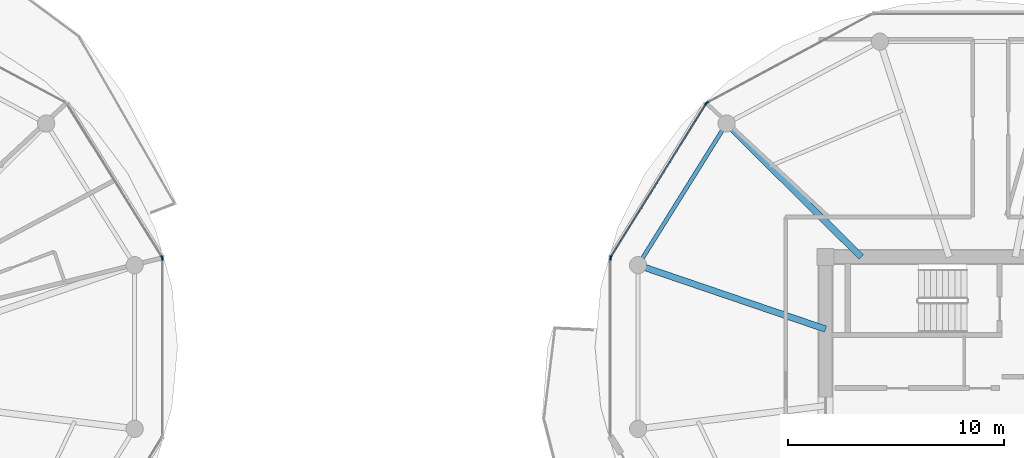
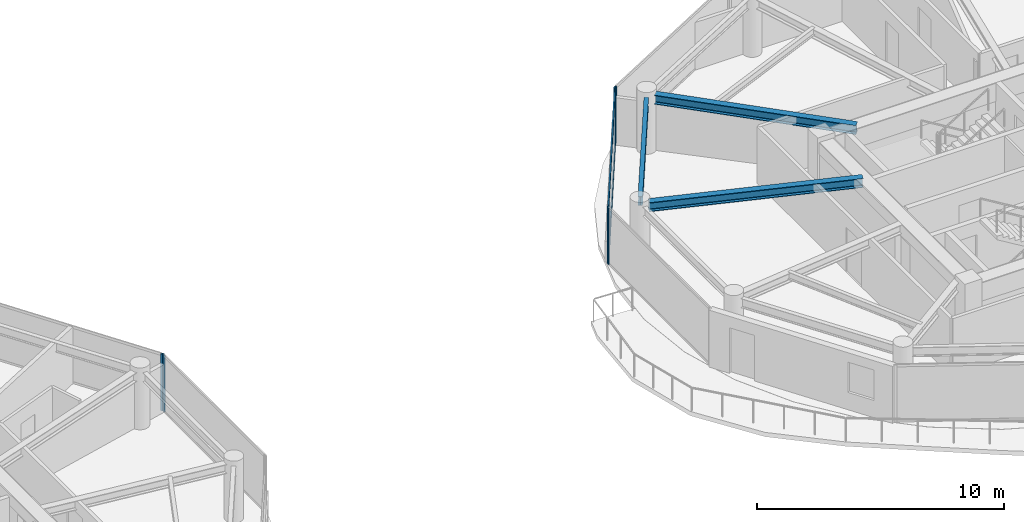
# One storey, part 7 of 21: 8 members, 3 beams, 5 elements without a shape of their own.
"""IFC4 building model written with IfcOpenShell, lengths in metres."""

from ifc_helpers import new_model, si_unit, direction, frame, origin, origin_2d, place, context, subcontext, project, spatial, rectangle, i_section, extrude, source, transform, mapped, material, layer, layer_set, material_profile, profile_set, type_object, type_shapes, element, aggregate, save


model = new_model("IFC4")

# Units and contexts
model_context = context("Model", 3, precision=1e-05, world=origin(), true_north=direction((0.0, 1.0)))
body_context = subcontext(model_context, "Body", "Model", "MODEL_VIEW")
ifc_project = project(units=[si_unit("LENGTHUNIT", "METRE"), si_unit("AREAUNIT", "SQUARE_METRE"), si_unit("VOLUMEUNIT", "CUBIC_METRE"), si_unit("PLANEANGLEUNIT", "RADIAN"), si_unit("MASSUNIT", "GRAM", prefix="KILO")], contexts=[model_context])

# Site, building, storey
site_placement = place(None, origin())
site = spatial("IfcSite", under=ifc_project, at=site_placement, CompositionType="ELEMENT")
building_placement = place(site_placement, origin())
building = spatial("IfcBuilding", under=site, at=building_placement, Name="Norrkilde Senior Care Towers", CompositionType="ELEMENT")
storey_placement = place(building_placement, frame((0.0, 0.0, 149.550048828125)))
storey = spatial("IfcBuildingStorey", under=building, at=storey_placement, Name="L46", CompositionType="ELEMENT", Elevation=149.550048828125)

# Beams
ifc_material_1 = material(Name="Steel S355", Category="steel")
ifc_material_profile_1 = material_profile(ifc_material_1, i_section(OverallWidth=0.18994140625, OverallDepth=0.449951171875, WebThickness=0.009521484375, FlangeThickness=0.0146484375, FilletRadius=0.02099609375, at=origin_2d()), Name="IPE 450")
ifc_profile_set_1 = profile_set([ifc_material_profile_1], Name="Steel S355")
beam_type_1 = type_object("IfcBeamType", Name="Perimeter Ring Spandrel Z3 IPE450", PredefinedType="SPANDREL", material=ifc_profile_set_1)
shared_shape_1 = source(origin(), body_context, "Body", "SweptSolid", [
    extrude(i_section(OverallWidth=0.18994140625, OverallDepth=0.449951171875, WebThickness=0.009521484375, FlangeThickness=0.0146484375, FilletRadius=0.02099609375, at=origin_2d()), origin(), (0.0, 0.0, 1.0), 7.0234375),
])
type_shapes(beam_type_1, [shared_shape_1])
beam_1_placement = place(storey_placement, frame((15.57666015625, 11.8291015625, 2.5849609375), z_axis=(-0.529789577822, -0.848129119433, 0.0), x_axis=(0.848129119433, -0.529789577822, 0.0)))
element("IfcBeam", 1, at=beam_1_placement, inside=storey, type_object=beam_type_1, Name="L46 Drum E Perimeter Spandrel 05", PredefinedType="SPANDREL", context=body_context, shape_type="MappedRepresentation", body=[
    mapped(shared_shape_1, transform((0.0, 0.0, 0.0), x_axis=(1.0, 0.0, 0.0), y_axis=(0.0, 1.0, 0.0), z_axis=(0.0, 0.0, 1.0), scale=1.0)),
])
ifc_material_profile_2 = material_profile(ifc_material_1, i_section(OverallWidth=0.300048828125, OverallDepth=0.449951171875, WebThickness=0.013916015625, FlangeThickness=0.02587890625, FilletRadius=0.027099609375, at=origin_2d()), Name="HEB 450")
ifc_profile_set_2 = profile_set([ifc_material_profile_2], Name="Steel S355")
beam_type_2 = type_object("IfcBeamType", Name="Radial Floor Beam Z3 HEB450", PredefinedType="BEAM", material=ifc_profile_set_2)
shared_shape_2 = source(origin(), body_context, "Body", "SweptSolid", [
    extrude(i_section(OverallWidth=0.300048828125, OverallDepth=0.449951171875, WebThickness=0.013916015625, FlangeThickness=0.02587890625, FilletRadius=0.027099609375, at=origin_2d()), origin(), (0.0, 0.0, 1.0), 8.8154296875),
])
beam_2_placement = place(storey_placement, frame((20.35009765625, 2.607177734375, 2.5849609375), z_axis=(-0.946540556878, 0.322584832539, 0.0), x_axis=(-0.322584832539, -0.946540556878, 0.0)))
element("IfcBeam", 2, at=beam_2_placement, inside=storey, type_object=beam_type_2, Name="L46 Drum E Radial Floor Beam 06", PredefinedType="BEAM", context=body_context, shape_type="MappedRepresentation", body=[
    mapped(shared_shape_2, transform((0.0, 0.0, 0.0), x_axis=(1.0, 0.0, 0.0), y_axis=(0.0, 1.0, 0.0), z_axis=(0.0, 0.0, 1.0), scale=1.0)),
])
shared_shape_3 = source(origin(), body_context, "Body", "SweptSolid", [
    extrude(i_section(OverallWidth=0.300048828125, OverallDepth=0.449951171875, WebThickness=0.013916015625, FlangeThickness=0.02587890625, FilletRadius=0.027099609375, at=origin_2d()), origin(), (0.0, 0.0, 1.0), 8.421630859375),
])
type_shapes(beam_type_2, [shared_shape_2, shared_shape_3])
beam_3_placement = place(storey_placement, frame((22.001953125, 5.949951171875, 2.5849609375), z_axis=(-0.709956495972, 0.704245535184, 0.0), x_axis=(-0.704245535184, -0.709956495972, 0.0)))
element("IfcBeam", 3, at=beam_3_placement, inside=storey, type_object=beam_type_2, Name="L46 Drum E Radial Floor Beam 05", PredefinedType="BEAM", context=body_context, shape_type="MappedRepresentation", body=[
    mapped(shared_shape_3, transform((0.0, 0.0, 0.0), x_axis=(1.0, 0.0, 0.0), y_axis=(0.0, 1.0, 0.0), z_axis=(0.0, 0.0, 1.0), scale=1.0)),
])

# Curtain wall, member
ifc_material_2 = material(Name="Triple Low-E Insulated Glazing", Category="glass")
ifc_layer = layer(ifc_material_2, 0.18994140625)
ifc_layer_set = layer_set([ifc_layer], Name="Triple Low-E Insulated Glazing")
curtain_wall_type = type_object("IfcCurtainWallType", Name="CW4 Zone 3 Senior Residence Curtain Wall", PredefinedType="NOTDEFINED", material=ifc_layer_set)
curtain_wall_1_placement = place(storey_placement, origin())
curtain_wall_1 = element("IfcCurtainWall", 4, at=curtain_wall_1_placement, inside=storey, type_object=curtain_wall_type, Name="L46 Drum W Curtain Wall 00", PredefinedType="NOTDEFINED")
ifc_material_3 = material(Name="Anodised Aluminium", Category="aluminium")
ifc_material_profile_3 = material_profile(ifc_material_3, rectangle(XDim=0.06494140625, YDim=0.14990234375, at=origin_2d()), Name="ALU MULL 65x150")
ifc_profile_set_3 = profile_set([ifc_material_profile_3], Name="Anodised Aluminium")
member_type_1 = type_object("IfcMemberType", Name="Curtain Wall Mullion Z3-Z4 65x150", PredefinedType="MULLION", material=ifc_profile_set_3)
shared_shape_4 = source(origin(), body_context, "Body", "SweptSolid", [
    extrude(rectangle(XDim=0.06494140625, YDim=0.14990234375, at=origin_2d()), origin(), (0.0, 0.0, 1.0), 2.81005859375),
])
type_shapes(member_type_1, [shared_shape_4])
member_1_placement = place(storey_placement, frame((-10.3974609375, 5.93896484375, 0.0), z_axis=(0.0, 0.0, 1.0), x_axis=(0.84963405474, 0.52737270789, 0.0)))
member_1 = element("IfcMember", 5, at=member_1_placement, type_object=member_type_1, Name="CW-4 mullion 2", PredefinedType="MULLION", context=body_context, shape_type="MappedRepresentation", body=[
    mapped(shared_shape_4, transform((0.0, 0.0, 0.0), x_axis=(1.0, 0.0, 0.0), y_axis=(0.0, 1.0, 0.0), z_axis=(0.0, 0.0, 1.0), scale=1.0)),
])
aggregate(curtain_wall_1, [member_1])

curtain_wall_2_placement = place(storey_placement, origin())
curtain_wall_2 = element("IfcCurtainWall", 6, at=curtain_wall_2_placement, inside=storey, type_object=curtain_wall_type, Name="L46 Drum W Curtain Wall 11", PredefinedType="NOTDEFINED")
member_2_placement = place(storey_placement, frame((-10.38037109375, 5.878662109375, 0.0), z_axis=(0.0, 0.0, 1.0), x_axis=(1.0, 0.0, 0.0)))
member_2 = element("IfcMember", 7, at=member_2_placement, type_object=member_type_1, Name="CW-4 mullion 1", PredefinedType="MULLION", context=body_context, shape_type="MappedRepresentation", body=[
    mapped(shared_shape_4, transform((0.0, 0.0, 0.0), x_axis=(1.0, 0.0, 0.0), y_axis=(0.0, 1.0, 0.0), z_axis=(0.0, 0.0, 1.0), scale=1.0)),
])
aggregate(curtain_wall_2, [member_2])

curtain_wall_3_placement = place(storey_placement, origin())
curtain_wall_3 = element("IfcCurtainWall", 8, at=curtain_wall_3_placement, inside=storey, type_object=curtain_wall_type, Name="L46 Drum E Curtain Wall 03", PredefinedType="NOTDEFINED")
member_3_placement = place(storey_placement, frame((14.85546875, 13.09033203125, 0.0), z_axis=(0.0, 0.0, 1.0), x_axis=(-0.47311715104, 0.880999524059, 0.0)))
member_3 = element("IfcMember", 9, at=member_3_placement, type_object=member_type_1, Name="CW-4 mullion 1", PredefinedType="MULLION", context=body_context, shape_type="MappedRepresentation", body=[
    mapped(shared_shape_4, transform((0.0, 0.0, 0.0), x_axis=(1.0, 0.0, 0.0), y_axis=(0.0, 1.0, 0.0), z_axis=(0.0, 0.0, 1.0), scale=1.0)),
])
aggregate(curtain_wall_3, [member_3])

# Curtain wall, members
curtain_wall_4_placement = place(storey_placement, origin())
curtain_wall_4 = element("IfcCurtainWall", 10, at=curtain_wall_4_placement, inside=storey, type_object=curtain_wall_type, Name="L46 Drum E Curtain Wall 04", PredefinedType="NOTDEFINED")
member_4_placement = place(storey_placement, frame((10.3974609375, 5.93896484375, 0.0), z_axis=(0.0, 0.0, 1.0), x_axis=(-0.84963405474, 0.52737270789, 0.0)))
member_4 = element("IfcMember", 11, at=member_4_placement, type_object=member_type_1, Name="CW-4 mullion 1", PredefinedType="MULLION", context=body_context, shape_type="MappedRepresentation", body=[
    mapped(shared_shape_4, transform((0.0, 0.0, 0.0), x_axis=(1.0, 0.0, 0.0), y_axis=(0.0, 1.0, 0.0), z_axis=(0.0, 0.0, 1.0), scale=1.0)),
])
member_5_placement = place(storey_placement, frame((14.809814453125, 13.04736328125, 0.0), z_axis=(0.0, 0.0, 1.0), x_axis=(-0.84963405474, 0.52737270789, 0.0)))
member_5 = element("IfcMember", 12, at=member_5_placement, type_object=member_type_1, Name="CW-4 mullion 2", PredefinedType="MULLION", context=body_context, shape_type="MappedRepresentation", body=[
    mapped(shared_shape_4, transform((0.0, 0.0, 0.0), x_axis=(1.0, 0.0, 0.0), y_axis=(0.0, 1.0, 0.0), z_axis=(0.0, 0.0, 1.0), scale=1.0)),
])

# Curtain wall, member
curtain_wall_5_placement = place(storey_placement, origin())
curtain_wall_5 = element("IfcCurtainWall", 13, at=curtain_wall_5_placement, inside=storey, type_object=curtain_wall_type, Name="L46 Drum E Curtain Wall 05", PredefinedType="NOTDEFINED")
member_6_placement = place(storey_placement, frame((10.38037109375, 5.878662109375, 0.0), z_axis=(0.0, 0.0, 1.0), x_axis=(-1.0, 0.0, 0.0)))
member_6 = element("IfcMember", 14, at=member_6_placement, type_object=member_type_1, Name="CW-4 mullion 2", PredefinedType="MULLION", context=body_context, shape_type="MappedRepresentation", body=[
    mapped(shared_shape_4, transform((0.0, 0.0, 0.0), x_axis=(1.0, 0.0, 0.0), y_axis=(0.0, 1.0, 0.0), z_axis=(0.0, 0.0, 1.0), scale=1.0)),
])
aggregate(curtain_wall_5, [member_6])

# Member
ifc_material_profile_4 = material_profile(ifc_material_3, rectangle(XDim=0.06005859375, YDim=0.1201171875, at=origin_2d()), Name="ALU TRAN 60x120")
ifc_profile_set_4 = profile_set([ifc_material_profile_4], Name="Anodised Aluminium")
member_type_2 = type_object("IfcMemberType", Name="Curtain Wall Transom Typical 60x120", PredefinedType="USERDEFINED", material=ifc_profile_set_4)
shared_shape_5 = source(origin(), body_context, "Body", "SweptSolid", [
    extrude(rectangle(XDim=0.06005859375, YDim=0.1201171875, at=origin_2d()), origin(), (0.0, 0.0, 1.0), 8.301513671875),
])
type_shapes(member_type_2, [shared_shape_5])
member_7_placement = place(storey_placement, frame((10.414794921875, 5.966552734375, 0.030029296875), z_axis=(0.527368718394, 0.849636531029, 0.0), x_axis=(-0.849636531029, 0.527368718394, 0.0)))
member_7 = element("IfcMember", 15, at=member_7_placement, type_object=member_type_2, Name="CW-4 transom 1.1", ObjectType="TRANSOM", PredefinedType="USERDEFINED", context=body_context, shape_type="MappedRepresentation", body=[
    mapped(shared_shape_5, transform((0.0, 0.0, 0.0), x_axis=(1.0, 0.0, 0.0), y_axis=(0.0, 1.0, 0.0), z_axis=(0.0, 0.0, 1.0), scale=1.0)),
])

member_8_placement = place(storey_placement, frame((10.414794921875, 5.966552734375, 2.780029296875), z_axis=(0.527368718394, 0.849636531029, 0.0), x_axis=(-0.849636531029, 0.527368718394, 0.0)))
member_8 = element("IfcMember", 16, at=member_8_placement, type_object=member_type_2, Name="CW-4 transom 1.2", ObjectType="TRANSOM", PredefinedType="USERDEFINED", context=body_context, shape_type="MappedRepresentation", body=[
    mapped(shared_shape_5, transform((0.0, 0.0, 0.0), x_axis=(1.0, 0.0, 0.0), y_axis=(0.0, 1.0, 0.0), z_axis=(0.0, 0.0, 1.0), scale=1.0)),
])

aggregate(curtain_wall_4, [member_4, member_5, member_7, member_8])

save(model, "model.ifc")
